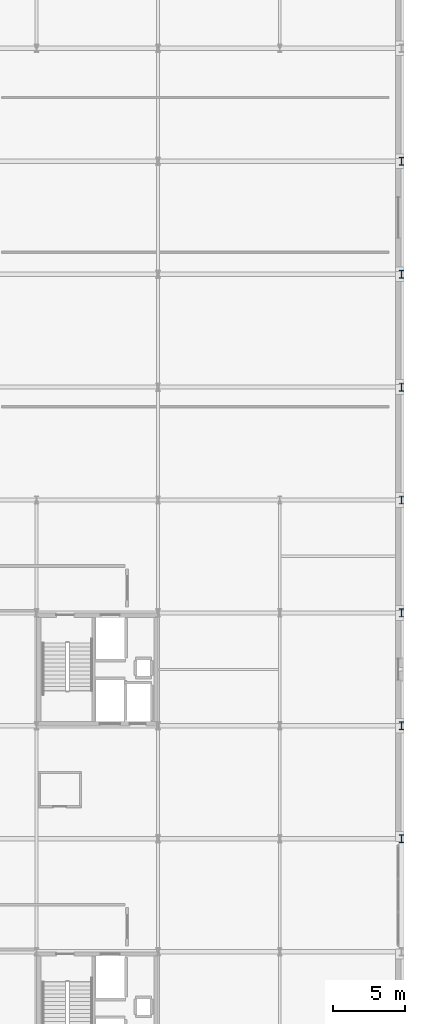
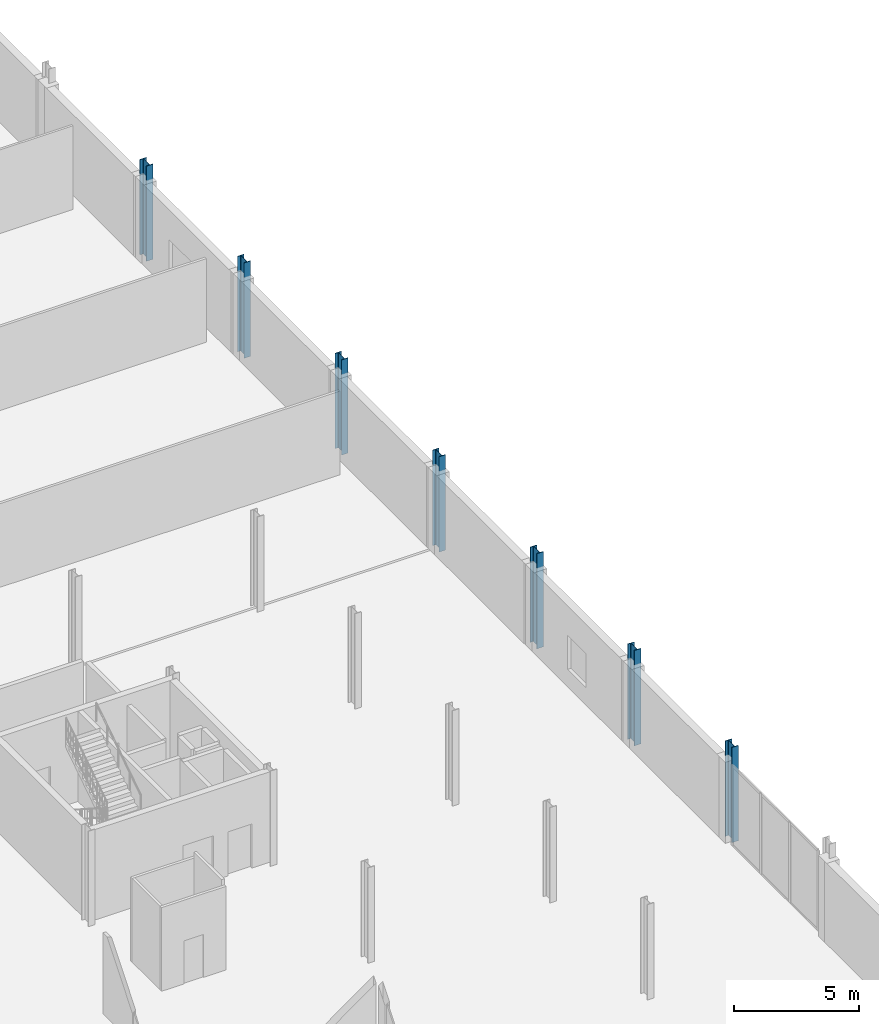
# One storey, part 20 of 98: 7 columns.
"""IFC4 building model written with IfcOpenShell, lengths in metres."""

from ifc_helpers import new_model, si_unit, direction, frame, origin, origin_2d, place, context, subcontext, project, spatial, i_section, extrude, material, material_profile, profile_set, type_object, element, save


model = new_model("IFC4")

# Units and contexts
model_context = context("Model", 3, precision=1e-05, world=origin(), true_north=direction((0.0, 1.0)))
body_context = subcontext(model_context, "Body", "Model", "MODEL_VIEW")
ifc_project = project(units=[si_unit("LENGTHUNIT", "METRE"), si_unit("AREAUNIT", "SQUARE_METRE"), si_unit("VOLUMEUNIT", "CUBIC_METRE"), si_unit("PLANEANGLEUNIT", "RADIAN"), si_unit("MASSUNIT", "GRAM", prefix="KILO")], contexts=[model_context])

# Site, building, storey
site_placement = place(None, origin())
site = spatial("IfcSite", under=ifc_project, at=site_placement, CompositionType="ELEMENT")
building_placement = place(site_placement, origin())
building = spatial("IfcBuilding", under=site, at=building_placement, Name="Nabrawat Pavilion Hospital", CompositionType="ELEMENT")
storey_placement = place(building_placement, frame((0.0, 0.0, 10.199951171875)))
storey = spatial("IfcBuildingStorey", under=building, at=storey_placement, Name="L02", CompositionType="ELEMENT", Elevation=10.199951171875)

# Columns
ifc_material = material(Name="Steel S355", Category="steel")
ifc_material_profile = material_profile(ifc_material, i_section(OverallWidth=0.300048828125, OverallDepth=0.550048828125, WebThickness=0.014892578125, FlangeThickness=0.029052734375, FilletRadius=0.027099609375, at=origin_2d()), Name="HEB 550")
ifc_profile_set = profile_set([ifc_material_profile], Name="Steel S355")
column_type = type_object("IfcColumnType", Name="Composite Steel Column HEB 550", PredefinedType="COLUMN", material=ifc_profile_set)
for number, where, z_axis, x_axis, name in (
    (1, (193.199951171875, 62.39990234375, 0.0), (0.0, 0.0, 1.0), (1.0, 0.0, 0.0), "L02 Structural Column G-24-J"),
    (2, (193.199951171875, 70.199951171875, 0.0), (0.0, 0.0, 1.0), (1.0, 0.0, 0.0), "L02 Structural Column G-24-K"),
    (3, (193.199951171875, 78.0, 0.0), (0.0, 0.0, 1.0), (1.0, 0.0, 0.0), "L02 Structural Column G-24-L"),
    (4, (193.199951171875, 85.800048828125, 0.0), (0.0, 0.0, 1.0), (1.0, 0.0, 0.0), "L02 Structural Column G-24-M1"),
    (5, (193.199951171875, 93.60009765625, 0.0), (0.0, 0.0, 1.0), (1.0, 0.0, 0.0), "L02 Structural Column G-24-N"),
    (6, (193.199951171875, 101.39990234375, 0.0), (0.0, 0.0, 1.0), (1.0, 0.0, 0.0), "L02 Structural Column G-24-P"),
    (7, (193.199951171875, 109.199951171875, 0.0), (0.0, 0.0, 1.0), (1.0, 0.0, 0.0), "L02 Structural Column G-24-Q"),
):
    element("IfcColumn", number, at=place(storey_placement, frame(where, z_axis=z_axis, x_axis=x_axis)), inside=storey, type_object=column_type, Name=name, PredefinedType="COLUMN", context=body_context, shape_type="SweptSolid", body=[
        extrude(i_section(OverallWidth=0.300048828125, OverallDepth=0.550048828125, WebThickness=0.014892578125, FlangeThickness=0.029052734375, FilletRadius=0.027099609375, at=origin_2d()), origin(), (0.0, 0.0, 1.0), 4.650146484375),
    ])

save(model, "model.ifc")
